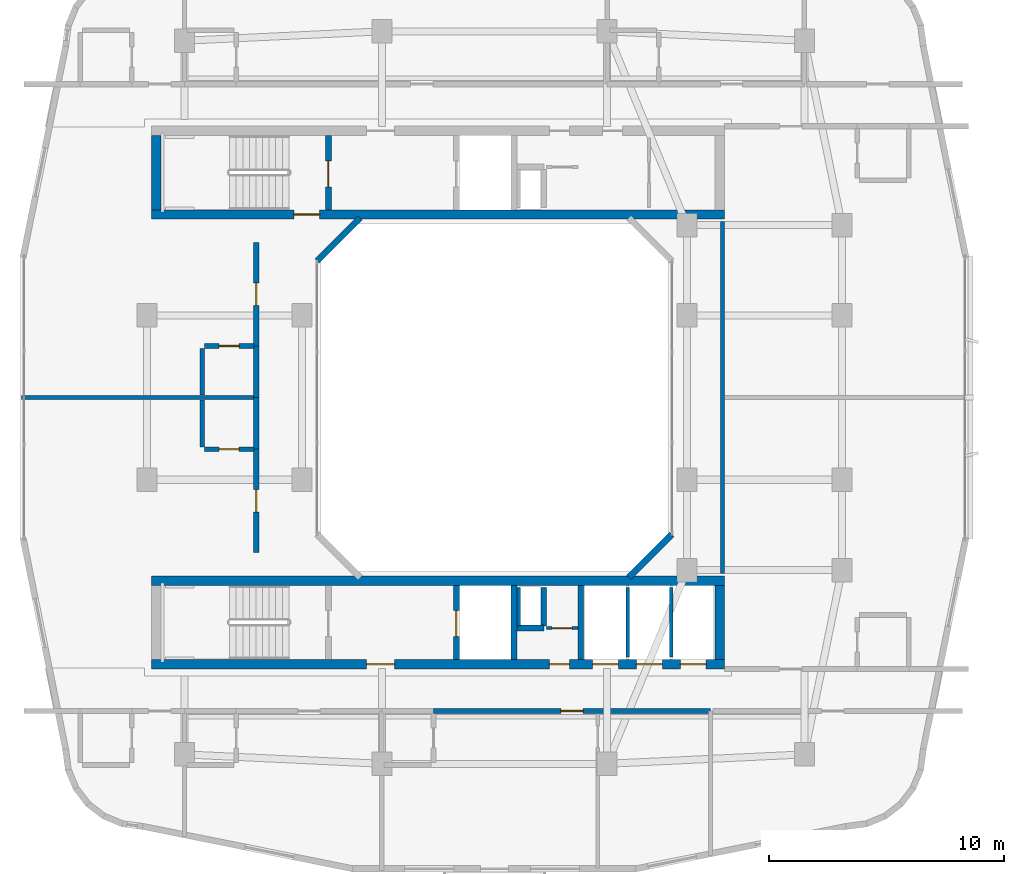
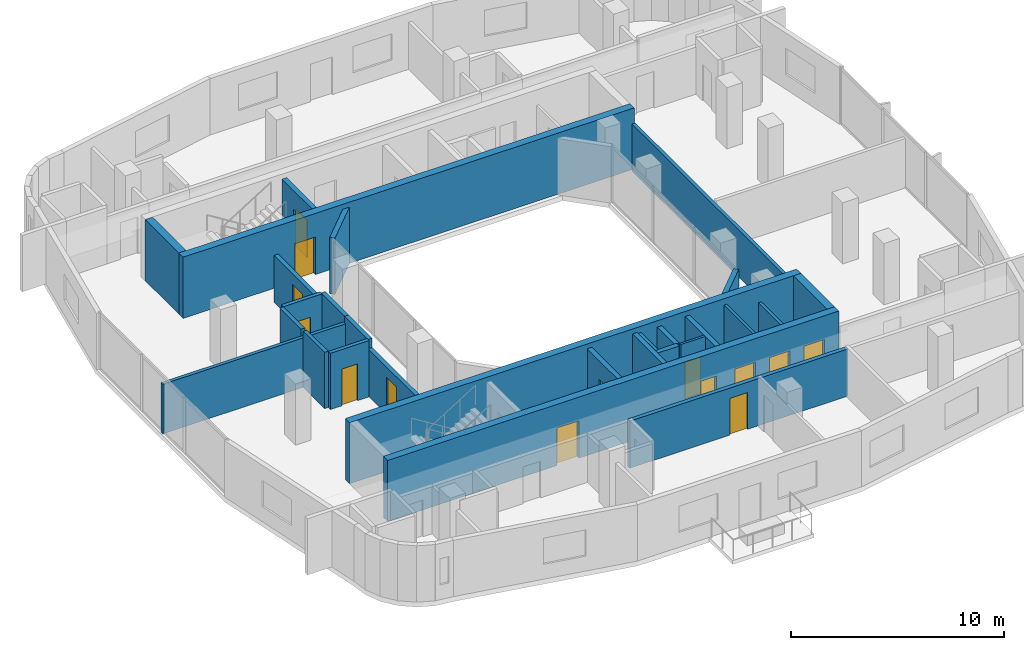
# One storey, part 6 of 13: 28 walls, 14 doors, 14 openings.
"""IFC4 building model written with IfcOpenShell, lengths in metres."""

from ifc_helpers import new_model, si_unit, derived_unit, direction, frame, frame_2d, origin, place, context, subcontext, project, spatial, rectangle, extrude, material, layer, layer_set, type_object, element, fill, save


model = new_model("IFC4")

# Units and contexts
model_context = context("Model", 3, precision=1e-05, world=origin(), true_north=direction((0.0, 1.0)))
body_context = subcontext(model_context, "Body", "Model", "MODEL_VIEW")
ifc_project = project(units=[si_unit("LENGTHUNIT", "METRE"), si_unit("AREAUNIT", "SQUARE_METRE"), si_unit("VOLUMEUNIT", "CUBIC_METRE"), si_unit("PLANEANGLEUNIT", "RADIAN"), si_unit("MASSUNIT", "GRAM", prefix="KILO"), derived_unit("THERMALTRANSMITTANCEUNIT", [(si_unit("POWERUNIT", "WATT"), 1), (si_unit("LENGTHUNIT", "METRE"), -2), (si_unit("THERMODYNAMICTEMPERATUREUNIT", "KELVIN"), -1)])], contexts=[model_context])

# Site, building, storey
site_placement = place(None, origin())
site = spatial("IfcSite", under=ifc_project, at=site_placement, CompositionType="ELEMENT")
building_placement = place(site_placement, origin())
building = spatial("IfcBuilding", under=site, at=building_placement, Name="Kivonza Crest Hotel", CompositionType="ELEMENT")
storey_placement = place(building_placement, frame((0.0, 0.0, 134.5)))
storey = spatial("IfcBuildingStorey", under=building, at=storey_placement, Name="L36", CompositionType="ELEMENT", Elevation=134.5)

# Walls
ifc_material_1 = material(Name="High-density acoustic masonry inter-tenancy wall", Category="masonry")
ifc_layer_1 = layer(ifc_material_1, 0.179931640625)
ifc_layer_set_1 = layer_set([ifc_layer_1], Name="High-density acoustic masonry inter-tenancy wall")
wall_type_1 = type_object("IfcWallType", Name="WL-ACOU-180", PredefinedType="SOLIDWALL", material=ifc_layer_set_1)
wall_1_placement = place(storey_placement, frame((0.860107421875, 25.0, 0.0), z_axis=(0.0, 0.0, 1.0), x_axis=(1.0, 0.0, 0.0)))
element("IfcWall", 1, at=wall_1_placement, inside=storey, type_object=wall_type_1, Name="L36 interior partition WA-L36-T1W-DIV1", PredefinedType="SOLIDWALL", context=body_context, shape_type="SweptSolid", body=[
    extrude(rectangle(XDim=9.989990234375, YDim=0.179931640625, at=frame_2d((4.9951171875, 0.0))), origin(), (0.0, 0.0, 1.0), 2.8349609375),
])
wall_2_placement = place(storey_placement, frame((30.7099609375, 17.5, 0.0), z_axis=(0.0, 0.0, 1.0), x_axis=(0.0, 1.0, 0.0)))
element("IfcWall", 2, at=wall_2_placement, inside=storey, type_object=wall_type_1, Name="L36 interior partition WA-L36-T1EC-W", PredefinedType="SOLIDWALL", context=body_context, shape_type="SweptSolid", body=[
    extrude(rectangle(XDim=15.0, YDim=0.179931640625, at=frame_2d((7.5, 0.0))), origin(), (0.0, 0.0, 1.0), 2.695068359375),
])

# Wall, opening, door
ifc_material_2 = material(Name="Autoclaved aerated concrete blockwork", Category="masonry")
ifc_layer_2 = layer(ifc_material_2, 0.219970703125)
ifc_layer_set_2 = layer_set([ifc_layer_2], Name="Autoclaved aerated concrete blockwork")
wall_type_2 = type_object("IfcWallType", Name="WL-ACOU-220", PredefinedType="SOLIDWALL", material=ifc_layer_set_2)
wall_3_placement = place(storey_placement, frame((18.39990234375, 11.64990234375, 0.0), z_axis=(0.0, 0.0, 1.0), x_axis=(1.0, 0.0, 0.0)))
wall_3 = element("IfcWall", 3, at=wall_3_placement, inside=storey, type_object=wall_type_2, Name="L36 interior partition WA-L36-S06-MCORR", PredefinedType="SOLIDWALL", context=body_context, shape_type="SweptSolid", body=[
    extrude(rectangle(XDim=11.800048828125, YDim=0.219970703125, at=frame_2d((5.89990234375, 0.0))), origin(), (0.0, 0.0, 1.0), 2.695068359375),
])
opening_1_placement = place(wall_3_placement, frame((5.425048828125, 0.0, 0.0)))
opening_1 = element("IfcOpeningElement", 4, at=opening_1_placement, cuts=wall_3, Name="Opening DU-60", PredefinedType="OPENING", context=body_context, shape_type="SweptSolid", body=[
    extrude(rectangle(XDim=0.949951171875, YDim=2.10009765625, at=frame_2d((0.47509765625, 1.050048828125))), frame((0.0, 0.1201171875, 0.0), z_axis=(0.0, -1.0, 0.0), x_axis=(1.0, 0.0, 0.0)), (0.0, 0.0, 1.0), 0.239990234375),
])
ifc_material_3 = material(Name="Hardwood timber oak", Category="wood")
door_type_1 = type_object("IfcDoorType", Name="DR-UNIT-950", OperationType="NOTDEFINED", PredefinedType="DOOR", material=ifc_material_3)
door_1_placement = place(opening_1_placement, frame((0.949951171875, 0.0, 0.0), z_axis=(0.0, 0.0, 1.0), x_axis=(-1.0, 0.0, 0.0)))
door_1 = element("IfcDoor", 5, at=door_1_placement, inside=storey, type_object=door_type_1, Name="L36 S06 guest unit entrance fire door", OperationType="SINGLE_SWING_RIGHT", OverallHeight=2.10009765625, OverallWidth=0.949951171875, PredefinedType="DOOR", context=body_context, shape_type="SweptSolid", body=[
    extrude(rectangle(XDim=0.949951171875, YDim=2.10009765625, at=frame_2d((0.47509765625, 1.050048828125))), frame((0.0, 0.02490234375, 0.0), z_axis=(0.0, -1.0, 0.0), x_axis=(1.0, 0.0, 0.0)), (0.0, 0.0, 1.0), 0.050048828125),
])
fill(opening_1, door_1)

# Wall
wall_4_placement = place(storey_placement, frame((10.85009765625, 22.800048828125, 0.0), z_axis=(0.0, 0.0, 1.0), x_axis=(0.0, 1.0, 0.0)))
element("IfcWall", 6, at=wall_4_placement, inside=storey, type_object=wall_type_2, Name="L36 interior partition WA-L36-W07-BCORR", PredefinedType="SOLIDWALL", context=body_context, shape_type="SweptSolid", body=[
    extrude(rectangle(XDim=2.199951171875, YDim=0.219970703125, at=frame_2d((1.10009765625, 0.0))), origin(), (0.0, 0.0, 1.0), 3.219970703125),
])

# Wall, opening, door
wall_5_placement = place(storey_placement, frame((10.85009765625, 18.39990234375, 0.0), z_axis=(0.0, 0.0, 1.0), x_axis=(0.0, 1.0, 0.0)))
wall_5 = element("IfcWall", 7, at=wall_5_placement, inside=storey, type_object=wall_type_2, Name="L36 interior partition WA-L36-W07-MCORR", PredefinedType="SOLIDWALL", context=body_context, shape_type="SweptSolid", body=[
    extrude(rectangle(XDim=4.400146484375, YDim=0.219970703125, at=frame_2d((2.2001953125, 0.0))), origin(), (0.0, 0.0, 1.0), 2.695068359375),
])
opening_2_placement = place(wall_5_placement, frame((1.72509765625, 0.0, 0.0)))
opening_2 = element("IfcOpeningElement", 8, at=opening_2_placement, cuts=wall_5, Name="Opening DU-60", PredefinedType="OPENING", context=body_context, shape_type="SweptSolid", body=[
    extrude(rectangle(XDim=0.949951171875, YDim=2.10009765625, at=frame_2d((0.47509765625, 1.050048828125))), frame((0.0, 0.1201171875, 0.0), z_axis=(0.0, -1.0, 0.0), x_axis=(1.0, 0.0, 0.0)), (0.0, 0.0, 1.0), 0.239990234375),
])
door_2_placement = place(opening_2_placement, origin())
door_2 = element("IfcDoor", 9, at=door_2_placement, inside=storey, type_object=door_type_1, Name="L36 W07 guest unit entrance fire door", OperationType="SINGLE_SWING_LEFT", OverallHeight=2.10009765625, OverallWidth=0.949951171875, PredefinedType="DOOR", context=body_context, shape_type="SweptSolid", body=[
    extrude(rectangle(XDim=0.949951171875, YDim=2.10009765625, at=frame_2d((0.47509765625, 1.050048828125))), frame((0.0, 0.02490234375, 0.0), z_axis=(0.0, -1.0, 0.0), x_axis=(1.0, 0.0, 0.0)), (0.0, 0.0, 1.0), 0.050048828125),
])
fill(opening_2, door_2)

# Wall
wall_6_placement = place(storey_placement, frame((10.85009765625, 25.0, 0.0), z_axis=(0.0, 0.0, 1.0), x_axis=(0.0, 1.0, 0.0)))
element("IfcWall", 10, at=wall_6_placement, inside=storey, type_object=wall_type_2, Name="L36 interior partition WA-L36-W08-BCORR", PredefinedType="SOLIDWALL", context=body_context, shape_type="SweptSolid", body=[
    extrude(rectangle(XDim=2.199951171875, YDim=0.219970703125, at=frame_2d((1.10009765625, 0.0))), origin(), (0.0, 0.0, 1.0), 3.219970703125),
])

# Wall, opening, door
wall_7_placement = place(storey_placement, frame((10.85009765625, 27.199951171875, 0.0), z_axis=(0.0, 0.0, 1.0), x_axis=(0.0, 1.0, 0.0)))
wall_7 = element("IfcWall", 11, at=wall_7_placement, inside=storey, type_object=wall_type_2, Name="L36 interior partition WA-L36-W08-MCORR", PredefinedType="SOLIDWALL", context=body_context, shape_type="SweptSolid", body=[
    extrude(rectangle(XDim=4.400146484375, YDim=0.219970703125, at=frame_2d((2.2001953125, 0.0))), origin(), (0.0, 0.0, 1.0), 2.695068359375),
])
opening_3_placement = place(wall_7_placement, frame((1.72509765625, 0.0, 0.0)))
opening_3 = element("IfcOpeningElement", 12, at=opening_3_placement, cuts=wall_7, Name="Opening DU-60", PredefinedType="OPENING", context=body_context, shape_type="SweptSolid", body=[
    extrude(rectangle(XDim=0.949951171875, YDim=2.10009765625, at=frame_2d((0.47509765625, 1.050048828125))), frame((0.0, 0.1201171875, 0.0), z_axis=(0.0, -1.0, 0.0), x_axis=(1.0, 0.0, 0.0)), (0.0, 0.0, 1.0), 0.239990234375),
])
door_3_placement = place(opening_3_placement, origin())
door_3 = element("IfcDoor", 13, at=door_3_placement, inside=storey, type_object=door_type_1, Name="L36 W08 guest unit entrance fire door", OperationType="SINGLE_SWING_RIGHT", OverallHeight=2.10009765625, OverallWidth=0.949951171875, PredefinedType="DOOR", context=body_context, shape_type="SweptSolid", body=[
    extrude(rectangle(XDim=0.949951171875, YDim=2.10009765625, at=frame_2d((0.47509765625, 1.050048828125))), frame((0.0, 0.02490234375, 0.0), z_axis=(0.0, -1.0, 0.0), x_axis=(1.0, 0.0, 0.0)), (0.0, 0.0, 1.0), 0.050048828125),
])
fill(opening_3, door_3)

ifc_material_4 = material(Name="Concrete C50/60", Category="concrete")
ifc_layer_3 = layer(ifc_material_4, 0.39990234375)
ifc_layer_set_3 = layer_set([ifc_layer_3], Name="Concrete C50/60")
wall_type_3 = type_object("IfcWallType", Name="WL-CORE-400", PredefinedType="SHEAR", material=ifc_layer_set_3)
wall_8_placement = place(storey_placement, frame((6.39990234375, 32.800048828125, 0.0), z_axis=(0.0, 0.0, 1.0), x_axis=(1.0, 0.0, 0.0)))
wall_8 = element("IfcWall", 14, at=wall_8_placement, inside=storey, type_object=wall_type_3, Name="Core wall T1-N South L36", PredefinedType="SHEAR", context=body_context, shape_type="SweptSolid", body=[
    extrude(rectangle(XDim=24.400146484375, YDim=0.39990234375, at=frame_2d((12.2001953125, 0.0))), origin(), (0.0, 0.0, 1.0), 3.5),
])
opening_4_placement = place(wall_8_placement, frame((6.050048828125, 0.0, 0.0)))
opening_4 = element("IfcOpeningElement", 15, at=opening_4_placement, cuts=wall_8, Name="Opening DF-120", PredefinedType="OPENING", context=body_context, shape_type="SweptSolid", body=[
    extrude(rectangle(XDim=1.10009765625, YDim=2.14990234375, at=frame_2d((0.550048828125, 1.074951171875))), frame((0.0, 0.2099609375, 0.0), z_axis=(0.0, -1.0, 0.0), x_axis=(1.0, 0.0, 0.0)), (0.0, 0.0, 1.0), 0.419921875),
])
ifc_material_5 = material(Name="Galvanised steel", Category="steel")
door_type_2 = type_object("IfcDoorType", Name="DR-FD120-1100", OperationType="NOTDEFINED", PredefinedType="DOOR", material=ifc_material_5)
door_4_placement = place(opening_4_placement, origin())
door_4 = element("IfcDoor", 16, at=door_4_placement, inside=storey, type_object=door_type_2, Name="L36 West corridor stair access fire door", OperationType="SINGLE_SWING_LEFT", OverallHeight=2.14990234375, OverallWidth=1.10009765625, PredefinedType="DOOR", context=body_context, shape_type="SweptSolid", body=[
    extrude(rectangle(XDim=1.10009765625, YDim=2.14990234375, at=frame_2d((0.550048828125, 1.074951171875))), frame((0.0, 0.02490234375, 0.0), z_axis=(0.0, -1.0, 0.0), x_axis=(1.0, 0.0, 0.0)), (0.0, 0.0, 1.0), 0.050048828125),
])
fill(opening_4, door_4)

# Wall
wall_9_placement = place(storey_placement, frame((6.60009765625, 33.0, 0.0), z_axis=(0.0, 0.0, 1.0), x_axis=(0.0, 1.0, 0.0)))
element("IfcWall", 17, at=wall_9_placement, inside=storey, type_object=wall_type_3, Name="Core wall T1-N West L36", PredefinedType="SHEAR", context=body_context, shape_type="SweptSolid", body=[
    extrude(rectangle(XDim=3.159912109375, YDim=0.39990234375, at=frame_2d((1.580078125, 0.0))), origin(), (0.0, 0.0, 1.0), 3.5),
])

# Wall, openings, doors
wall_10_placement = place(storey_placement, frame((6.39990234375, 13.639892578125, 0.0), z_axis=(0.0, 0.0, 1.0), x_axis=(1.0, 0.0, 0.0)))
wall_10 = element("IfcWall", 18, at=wall_10_placement, inside=storey, type_object=wall_type_3, Name="Core wall T1-S South L36", PredefinedType="SHEAR", context=body_context, shape_type="SweptSolid", body=[
    extrude(rectangle(XDim=24.400146484375, YDim=0.39990234375, at=frame_2d((12.2001953125, 0.0))), origin(), (0.0, 0.0, 1.0), 3.5),
])
opening_5_placement = place(wall_10_placement, frame((9.14990234375, 0.0, 0.0)))
opening_5 = element("IfcOpeningElement", 19, at=opening_5_placement, cuts=wall_10, Name="Opening DF-60", PredefinedType="OPENING", context=body_context, shape_type="SweptSolid", body=[
    extrude(rectangle(XDim=1.199951171875, YDim=2.14990234375, at=frame_2d((0.60009765625, 1.074951171875))), frame((0.0, 0.2099609375, 0.0), z_axis=(0.0, -1.0, 0.0), x_axis=(1.0, 0.0, 0.0)), (0.0, 0.0, 1.0), 0.419921875),
])
opening_6_placement = place(wall_10_placement, frame((16.93994140625, 0.0, 0.0)))
opening_6 = element("IfcOpeningElement", 20, at=opening_6_placement, cuts=wall_10, Name="Opening DF-60R", PredefinedType="OPENING", context=body_context, shape_type="SweptSolid", body=[
    extrude(rectangle(XDim=0.85009765625, YDim=2.10009765625, at=frame_2d((0.425048828125, 1.050048828125))), frame((0.0, 0.2099609375, 0.0), z_axis=(0.0, -1.0, 0.0), x_axis=(1.0, 0.0, 0.0)), (0.0, 0.0, 1.0), 0.419921875),
])
opening_7_placement = place(wall_10_placement, frame((18.782958984375, 0.0, 0.0)))
opening_7 = element("IfcOpeningElement", 21, at=opening_7_placement, cuts=wall_10, Name="Opening LD-120", PredefinedType="OPENING", context=body_context, shape_type="SweptSolid", body=[
    extrude(rectangle(XDim=1.10009765625, YDim=2.14990234375, at=frame_2d((0.550048828125, 1.074951171875))), frame((0.0, 0.2099609375, 0.0), z_axis=(0.0, -1.0, 0.0), x_axis=(1.0, 0.0, 0.0)), (0.0, 0.0, 1.0), 0.419921875),
])
opening_8_placement = place(wall_10_placement, frame((20.64990234375, 0.0, 0.0)))
opening_8 = element("IfcOpeningElement", 22, at=opening_8_placement, cuts=wall_10, Name="Opening LD-120", PredefinedType="OPENING", context=body_context, shape_type="SweptSolid", body=[
    extrude(rectangle(XDim=1.10009765625, YDim=2.14990234375, at=frame_2d((0.550048828125, 1.074951171875))), frame((0.0, 0.2099609375, 0.0), z_axis=(0.0, -1.0, 0.0), x_axis=(1.0, 0.0, 0.0)), (0.0, 0.0, 1.0), 0.419921875),
])
opening_9_placement = place(wall_10_placement, frame((22.51708984375, 0.0, 0.0)))
opening_9 = element("IfcOpeningElement", 23, at=opening_9_placement, cuts=wall_10, Name="Opening LD-120", PredefinedType="OPENING", context=body_context, shape_type="SweptSolid", body=[
    extrude(rectangle(XDim=1.10009765625, YDim=2.14990234375, at=frame_2d((0.550048828125, 1.074951171875))), frame((0.0, 0.2099609375, 0.0), z_axis=(0.0, -1.0, 0.0), x_axis=(1.0, 0.0, 0.0)), (0.0, 0.0, 1.0), 0.419921875),
])
door_type_3 = type_object("IfcDoorType", Name="DR-FD60-1200", OperationType="NOTDEFINED", PredefinedType="DOOR", material=ifc_material_3)
door_5_placement = place(opening_5_placement, frame((1.199951171875, 0.0, 0.0), z_axis=(0.0, 0.0, 1.0), x_axis=(-1.0, 0.0, 0.0)))
door_5 = element("IfcDoor", 24, at=door_5_placement, inside=storey, type_object=door_type_3, Name="L36 T1-S firefighting lobby fire door", OperationType="SINGLE_SWING_LEFT", OverallHeight=2.14990234375, OverallWidth=1.199951171875, PredefinedType="DOOR", context=body_context, shape_type="SweptSolid", body=[
    extrude(rectangle(XDim=1.199951171875, YDim=2.14990234375, at=frame_2d((0.60009765625, 1.074951171875))), frame((0.0, 0.02490234375, 0.0), z_axis=(0.0, -1.0, 0.0), x_axis=(1.0, 0.0, 0.0)), (0.0, 0.0, 1.0), 0.050048828125),
])
fill(opening_5, door_5)
door_type_4 = type_object("IfcDoorType", Name="DR-FD60-850", OperationType="NOTDEFINED", PredefinedType="DOOR", material=ifc_material_3)
door_6_placement = place(opening_6_placement, frame((0.85009765625, 0.0, 0.0), z_axis=(0.0, 0.0, 1.0), x_axis=(-1.0, 0.0, 0.0)))
door_6 = element("IfcDoor", 25, at=door_6_placement, inside=storey, type_object=door_type_4, Name="L36 T1-S core room door", OperationType="SINGLE_SWING_RIGHT", OverallHeight=2.10009765625, OverallWidth=0.85009765625, PredefinedType="DOOR", context=body_context, shape_type="SweptSolid", body=[
    extrude(rectangle(XDim=0.85009765625, YDim=2.10009765625, at=frame_2d((0.425048828125, 1.050048828125))), frame((0.0, 0.02490234375, 0.0), z_axis=(0.0, -1.0, 0.0), x_axis=(1.0, 0.0, 0.0)), (0.0, 0.0, 1.0), 0.050048828125),
])
fill(opening_6, door_6)
ifc_material_6 = material(Name="Stainless steel", Category="steel")
door_type_5 = type_object("IfcDoorType", Name="DR-LD120-1100", OperationType="NOTDEFINED", PredefinedType="DOOR", material=ifc_material_6)
door_7_placement = place(opening_7_placement, frame((1.10009765625, 0.0, 0.0), z_axis=(0.0, 0.0, 1.0), x_axis=(-1.0, 0.0, 0.0)))
door_7 = element("IfcDoor", 26, at=door_7_placement, inside=storey, type_object=door_type_5, Name="L36 PL-T1-H1 passenger lift sliding landing door", OperationType="DOUBLE_DOOR_SLIDING", OverallHeight=2.14990234375, OverallWidth=1.10009765625, PredefinedType="DOOR", context=body_context, shape_type="SweptSolid", body=[
    extrude(rectangle(XDim=1.10009765625, YDim=2.14990234375, at=frame_2d((0.550048828125, 1.074951171875))), frame((0.0, 0.02490234375, 0.0), z_axis=(0.0, -1.0, 0.0), x_axis=(1.0, 0.0, 0.0)), (0.0, 0.0, 1.0), 0.050048828125),
])
fill(opening_7, door_7)
door_8_placement = place(opening_8_placement, frame((1.10009765625, 0.0, 0.0), z_axis=(0.0, 0.0, 1.0), x_axis=(-1.0, 0.0, 0.0)))
door_8 = element("IfcDoor", 27, at=door_8_placement, inside=storey, type_object=door_type_5, Name="L36 PL-T1-H2 passenger lift sliding landing door", OperationType="DOUBLE_DOOR_SLIDING", OverallHeight=2.14990234375, OverallWidth=1.10009765625, PredefinedType="DOOR", context=body_context, shape_type="SweptSolid", body=[
    extrude(rectangle(XDim=1.10009765625, YDim=2.14990234375, at=frame_2d((0.550048828125, 1.074951171875))), frame((0.0, 0.02490234375, 0.0), z_axis=(0.0, -1.0, 0.0), x_axis=(1.0, 0.0, 0.0)), (0.0, 0.0, 1.0), 0.050048828125),
])
fill(opening_8, door_8)
door_9_placement = place(opening_9_placement, frame((1.10009765625, 0.0, 0.0), z_axis=(0.0, 0.0, 1.0), x_axis=(-1.0, 0.0, 0.0)))
door_9 = element("IfcDoor", 28, at=door_9_placement, inside=storey, type_object=door_type_5, Name="L36 PL-T1-H3 passenger lift sliding landing door", OperationType="DOUBLE_DOOR_SLIDING", OverallHeight=2.14990234375, OverallWidth=1.10009765625, PredefinedType="DOOR", context=body_context, shape_type="SweptSolid", body=[
    extrude(rectangle(XDim=1.10009765625, YDim=2.14990234375, at=frame_2d((0.550048828125, 1.074951171875))), frame((0.0, 0.02490234375, 0.0), z_axis=(0.0, -1.0, 0.0), x_axis=(1.0, 0.0, 0.0)), (0.0, 0.0, 1.0), 0.050048828125),
])
fill(opening_9, door_9)

# Walls
wall_11_placement = place(storey_placement, frame((6.39990234375, 17.199951171875, 0.0), z_axis=(0.0, 0.0, 1.0), x_axis=(1.0, 0.0, 0.0)))
element("IfcWall", 29, at=wall_11_placement, inside=storey, type_object=wall_type_3, Name="Core wall T1-S North L36", PredefinedType="SHEAR", context=body_context, shape_type="SweptSolid", body=[
    extrude(rectangle(XDim=24.400146484375, YDim=0.39990234375, at=frame_2d((12.2001953125, 0.0))), origin(), (0.0, 0.0, 1.0), 3.5),
])
wall_12_placement = place(storey_placement, frame((30.60009765625, 13.840087890625, 0.0), z_axis=(0.0, 0.0, 1.0), x_axis=(0.0, 1.0, 0.0)))
element("IfcWall", 30, at=wall_12_placement, inside=storey, type_object=wall_type_3, Name="Core wall T1-S East L36", PredefinedType="SHEAR", context=body_context, shape_type="SweptSolid", body=[
    extrude(rectangle(XDim=3.159912109375, YDim=0.39990234375, at=frame_2d((1.580078125, 0.0))), origin(), (0.0, 0.0, 1.0), 3.5),
])
ifc_material_7 = material(Name="Precast concrete C40/50", Category="concrete")
ifc_layer_4 = layer(ifc_material_7, 0.260009765625)
ifc_layer_set_4 = layer_set([ifc_layer_4], Name="Precast concrete C40/50")
wall_type_4 = type_object("IfcWallType", Name="WL-EXT-260", PredefinedType="STANDARD", material=ifc_layer_set_4)
for number, where, z_axis, x_axis, name in (
    (31, (26.721923828125, 17.337890625, 0.0), (0.0, 0.0, 1.0), (0.707059717605, 0.707153841636, 0.0), "L36 T1 light-well exterior wall 2"),
    (32, (15.278076171875, 32.662109375, 0.0), (0.0, 0.0, 1.0), (-0.707059717605, -0.707153841636, 0.0), "L36 T1 light-well exterior wall 6"),
):
    element("IfcWall", number, at=place(storey_placement, frame(where, z_axis=z_axis, x_axis=x_axis)), inside=storey, type_object=wall_type_4, Name=name, PredefinedType="STANDARD", context=body_context, shape_type="SweptSolid", body=[
        extrude(rectangle(XDim=2.59375, YDim=0.260009765625, at=frame_2d((1.296875, 0.0))), origin(), (0.0, 0.0, 1.0), 3.219970703125),
    ])
ifc_material_8 = material(Name="Concrete blockwork fire-compartment wall", Category="masonry")
ifc_layer_5 = layer(ifc_material_8, 0.25)
ifc_layer_set_5 = layer_set([ifc_layer_5], Name="Concrete blockwork fire-compartment wall")
wall_type_5 = type_object("IfcWallType", Name="WL-FIRE-250", PredefinedType="SOLIDWALL", material=ifc_layer_set_5)
wall_13_placement = place(storey_placement, frame((23.10009765625, 15.280029296875, 0.0), z_axis=(0.0, 0.0, 1.0), x_axis=(0.0, 1.0, 0.0)))
element("IfcWall", 33, at=wall_13_placement, inside=storey, type_object=wall_type_5, Name="L36 interior partition WA-L36-T1-S-MEPR-E", PredefinedType="SOLIDWALL", context=body_context, shape_type="SweptSolid", body=[
    extrude(rectangle(XDim=1.619873046875, YDim=0.25, at=frame_2d((0.81005859375, 0.0))), origin(), (0.0, 0.0, 1.0), 3.219970703125),
])
wall_14_placement = place(storey_placement, frame((21.949951171875, 15.179931640625, 0.0), z_axis=(0.0, 0.0, 1.0), x_axis=(1.0, 0.0, 0.0)))
element("IfcWall", 34, at=wall_14_placement, inside=storey, type_object=wall_type_5, Name="L36 interior partition WA-L36-T1-S-MEPR-H", PredefinedType="SOLIDWALL", context=body_context, shape_type="SweptSolid", body=[
    extrude(rectangle(XDim=1.150146484375, YDim=0.25, at=frame_2d((0.5751953125, 0.0))), origin(), (0.0, 0.0, 1.0), 3.219970703125),
])

# Wall, opening, door
ifc_material_9 = material(Name="Metal-stud gypsum board partition", Category="gypsum")
ifc_layer_6 = layer(ifc_material_9, 0.125)
ifc_layer_set_6 = layer_set([ifc_layer_6], Name="Metal-stud gypsum board partition")
wall_type_6 = type_object("IfcWallType", Name="WL-PART-125", PredefinedType="PARTITIONING", material=ifc_layer_set_6)
wall_15_placement = place(storey_placement, frame((23.219970703125, 15.179931640625, 0.0), z_axis=(0.0, 0.0, 1.0), x_axis=(1.0, 0.0, 0.0)))
wall_15 = element("IfcWall", 35, at=wall_15_placement, inside=storey, type_object=wall_type_6, Name="L36 interior partition WP-L36-T1-S-SV3H", PredefinedType="PARTITIONING", context=body_context, shape_type="SweptSolid", body=[
    extrude(rectangle(XDim=1.330078125, YDim=0.125, at=frame_2d((0.6650390625, 0.0))), origin(), (0.0, 0.0, 1.0), 3.219970703125),
])
opening_10_placement = place(wall_15_placement, frame((0.239990234375, 0.0, 0.0)))
opening_10 = element("IfcOpeningElement", 36, at=opening_10_placement, cuts=wall_15, Name="Opening DI-85", PredefinedType="OPENING", context=body_context, shape_type="SweptSolid", body=[
    extrude(rectangle(XDim=0.85009765625, YDim=2.10009765625, at=frame_2d((0.425048828125, 1.050048828125))), frame((0.0, 0.072509765625, 0.0), z_axis=(0.0, -1.0, 0.0), x_axis=(1.0, 0.0, 0.0)), (0.0, 0.0, 1.0), 0.14501953125),
])
door_type_6 = type_object("IfcDoorType", Name="DR-INT-850", OperationType="NOTDEFINED", PredefinedType="DOOR", material=ifc_material_3)
door_10_placement = place(opening_10_placement, origin())
door_10 = element("IfcDoor", 37, at=door_10_placement, inside=storey, type_object=door_type_6, Name="L36 T1-S inner manifold door", OperationType="SINGLE_SWING_LEFT", OverallHeight=2.10009765625, OverallWidth=0.85009765625, PredefinedType="DOOR", context=body_context, shape_type="SweptSolid", body=[
    extrude(rectangle(XDim=0.85009765625, YDim=2.10009765625, at=frame_2d((0.425048828125, 1.050048828125))), frame((0.0, 0.02490234375, 0.0), z_axis=(0.0, -1.0, 0.0), x_axis=(1.0, 0.0, 0.0)), (0.0, 0.0, 1.0), 0.050048828125),
])
fill(opening_10, door_10)

# Walls
ifc_material_10 = material(Name="Twin-stud acoustic gypsum board partition", Category="gypsum")
ifc_layer_7 = layer(ifc_material_10, 0.14990234375)
ifc_layer_set_7 = layer_set([ifc_layer_7], Name="Twin-stud acoustic gypsum board partition")
wall_type_7 = type_object("IfcWallType", Name="WL-PART-150", PredefinedType="PARTITIONING", material=ifc_layer_set_7)
wall_16_placement = place(storey_placement, frame((22.030029296875, 15.280029296875, 0.0), z_axis=(0.0, 0.0, 1.0), x_axis=(0.0, 1.0, 0.0)))
element("IfcWall", 38, at=wall_16_placement, inside=storey, type_object=wall_type_7, Name="L36 interior partition WA-L36-T1-S-MEPR-W", PredefinedType="PARTITIONING", context=body_context, shape_type="SweptSolid", body=[
    extrude(rectangle(XDim=1.619873046875, YDim=0.14990234375, at=frame_2d((0.81005859375, 0.0))), origin(), (0.0, 0.0, 1.0), 3.219970703125),
])
wall_17_placement = place(storey_placement, frame((26.6669921875, 13.93994140625, 0.0), z_axis=(0.0, 0.0, 1.0), x_axis=(0.0, 1.0, 0.0)))
element("IfcWall", 39, at=wall_17_placement, inside=storey, type_object=wall_type_7, Name="L36 interior partition WP-L36-T1-S-BSH-1", PredefinedType="PARTITIONING", context=body_context, shape_type="SweptSolid", body=[
    extrude(rectangle(XDim=2.9599609375, YDim=0.14990234375, at=frame_2d((1.47998046875, 0.0))), origin(), (0.0, 0.0, 1.0), 3.219970703125),
])
wall_18_placement = place(storey_placement, frame((28.532958984375, 13.93994140625, 0.0), z_axis=(0.0, 0.0, 1.0), x_axis=(0.0, 1.0, 0.0)))
element("IfcWall", 40, at=wall_18_placement, inside=storey, type_object=wall_type_7, Name="L36 interior partition WP-L36-T1-S-BSH-2", PredefinedType="PARTITIONING", context=body_context, shape_type="SweptSolid", body=[
    extrude(rectangle(XDim=2.9599609375, YDim=0.14990234375, at=frame_2d((1.47998046875, 0.0))), origin(), (0.0, 0.0, 1.0), 2.695068359375),
])

# Wall, opening, door
ifc_material_11 = material(Name="Moisture-resistant plumbing chase partition wall", Category="gypsum")
ifc_layer_8 = layer(ifc_material_11, 0.199951171875)
ifc_layer_set_8 = layer_set([ifc_layer_8], Name="Moisture-resistant plumbing chase partition wall")
wall_type_8 = type_object("IfcWallType", Name="WL-PLUMB-200", PredefinedType="PLUMBINGWALL", material=ifc_layer_set_8)
wall_19_placement = place(storey_placement, frame((8.64990234375, 22.800048828125, 0.0), z_axis=(0.0, 0.0, 1.0), x_axis=(1.0, 0.0, 0.0)))
wall_19 = element("IfcWall", 41, at=wall_19_placement, inside=storey, type_object=wall_type_8, Name="L36 interior partition WW-L36-W07-BH", PredefinedType="PLUMBINGWALL", context=body_context, shape_type="SweptSolid", body=[
    extrude(rectangle(XDim=2.10009765625, YDim=0.199951171875, at=frame_2d((1.050048828125, 0.0))), origin(), (0.0, 0.0, 1.0), 3.219970703125),
])
opening_11_placement = place(wall_19_placement, frame((0.625, 0.0, 0.0)))
opening_11 = element("IfcOpeningElement", 42, at=opening_11_placement, cuts=wall_19, Name="Opening DI-85", PredefinedType="OPENING", context=body_context, shape_type="SweptSolid", body=[
    extrude(rectangle(XDim=0.85009765625, YDim=2.10009765625, at=frame_2d((0.425048828125, 1.050048828125))), frame((0.0, 0.10986328125, 0.0), z_axis=(0.0, -1.0, 0.0), x_axis=(1.0, 0.0, 0.0)), (0.0, 0.0, 1.0), 0.219970703125),
])
door_11_placement = place(opening_11_placement, frame((0.85009765625, 0.0, 0.0), z_axis=(0.0, 0.0, 1.0), x_axis=(-1.0, 0.0, 0.0)))
door_11 = element("IfcDoor", 43, at=door_11_placement, inside=storey, type_object=door_type_6, Name="L36 W07 en-suite bathroom door", OperationType="SINGLE_SWING_RIGHT", OverallHeight=2.10009765625, OverallWidth=0.85009765625, PredefinedType="DOOR", context=body_context, shape_type="SweptSolid", body=[
    extrude(rectangle(XDim=0.85009765625, YDim=2.10009765625, at=frame_2d((0.425048828125, 1.050048828125))), frame((0.0, 0.02490234375, 0.0), z_axis=(0.0, -1.0, 0.0), x_axis=(1.0, 0.0, 0.0)), (0.0, 0.0, 1.0), 0.050048828125),
])
fill(opening_11, door_11)

# Wall
wall_20_placement = place(storey_placement, frame((8.550048828125, 22.89990234375, 0.0), z_axis=(0.0, 0.0, 1.0), x_axis=(0.0, 1.0, 0.0)))
element("IfcWall", 44, at=wall_20_placement, inside=storey, type_object=wall_type_8, Name="L36 interior partition WW-L36-W07-BV", PredefinedType="PLUMBINGWALL", context=body_context, shape_type="SweptSolid", body=[
    extrude(rectangle(XDim=2.0, YDim=0.199951171875, at=frame_2d((1.0, 0.0))), origin(), (0.0, 0.0, 1.0), 3.219970703125),
])

# Wall, opening, door
wall_21_placement = place(storey_placement, frame((8.64990234375, 27.199951171875, 0.0), z_axis=(0.0, 0.0, 1.0), x_axis=(1.0, 0.0, 0.0)))
wall_21 = element("IfcWall", 45, at=wall_21_placement, inside=storey, type_object=wall_type_8, Name="L36 interior partition WW-L36-W08-BH", PredefinedType="PLUMBINGWALL", context=body_context, shape_type="SweptSolid", body=[
    extrude(rectangle(XDim=2.10009765625, YDim=0.199951171875, at=frame_2d((1.050048828125, 0.0))), origin(), (0.0, 0.0, 1.0), 3.219970703125),
])
opening_12_placement = place(wall_21_placement, frame((0.625, 0.0, 0.0)))
opening_12 = element("IfcOpeningElement", 46, at=opening_12_placement, cuts=wall_21, Name="Opening DI-85", PredefinedType="OPENING", context=body_context, shape_type="SweptSolid", body=[
    extrude(rectangle(XDim=0.85009765625, YDim=2.10009765625, at=frame_2d((0.425048828125, 1.050048828125))), frame((0.0, 0.10986328125, 0.0), z_axis=(0.0, -1.0, 0.0), x_axis=(1.0, 0.0, 0.0)), (0.0, 0.0, 1.0), 0.219970703125),
])
door_12_placement = place(opening_12_placement, origin())
door_12 = element("IfcDoor", 47, at=door_12_placement, inside=storey, type_object=door_type_6, Name="L36 W08 en-suite bathroom door", OperationType="SINGLE_SWING_LEFT", OverallHeight=2.10009765625, OverallWidth=0.85009765625, PredefinedType="DOOR", context=body_context, shape_type="SweptSolid", body=[
    extrude(rectangle(XDim=0.85009765625, YDim=2.10009765625, at=frame_2d((0.425048828125, 1.050048828125))), frame((0.0, 0.02490234375, 0.0), z_axis=(0.0, -1.0, 0.0), x_axis=(1.0, 0.0, 0.0)), (0.0, 0.0, 1.0), 0.050048828125),
])
fill(opening_12, door_12)

# Wall
wall_22_placement = place(storey_placement, frame((8.550048828125, 25.10009765625, 0.0), z_axis=(0.0, 0.0, 1.0), x_axis=(0.0, 1.0, 0.0)))
element("IfcWall", 48, at=wall_22_placement, inside=storey, type_object=wall_type_8, Name="L36 interior partition WW-L36-W08-BV", PredefinedType="PLUMBINGWALL", context=body_context, shape_type="SweptSolid", body=[
    extrude(rectangle(XDim=2.0, YDim=0.199951171875, at=frame_2d((1.0, 0.0))), origin(), (0.0, 0.0, 1.0), 3.219970703125),
])

# Wall, opening, door
ifc_layer_9 = layer(ifc_material_4, 0.25)
ifc_layer_set_9 = layer_set([ifc_layer_9], Name="Concrete C50/60")
wall_type_9 = type_object("IfcWallType", Name="WL-SHAFT-250", PredefinedType="STANDARD", material=ifc_layer_set_9)
wall_23_placement = place(storey_placement, frame((13.925048828125, 33.0, 0.0), z_axis=(0.0, 0.0, 1.0), x_axis=(0.0, 1.0, 0.0)))
wall_23 = element("IfcWall", 49, at=wall_23_placement, inside=storey, type_object=wall_type_9, Name="Core shaft wall T1-N STAIR L36", PredefinedType="STANDARD", context=body_context, shape_type="SweptSolid", body=[
    extrude(rectangle(XDim=3.159912109375, YDim=0.25, at=frame_2d((1.580078125, 0.0))), origin(), (0.0, 0.0, 1.0), 3.219970703125),
])
opening_13_placement = place(wall_23_placement, frame((0.97998046875, 0.0, 0.0)))
opening_13 = element("IfcOpeningElement", 50, at=opening_13_placement, cuts=wall_23, Name="Opening DF-120", PredefinedType="OPENING", context=body_context, shape_type="SweptSolid", body=[
    extrude(rectangle(XDim=1.10009765625, YDim=2.14990234375, at=frame_2d((0.550048828125, 1.074951171875))), frame((0.0, 0.135009765625, 0.0), z_axis=(0.0, -1.0, 0.0), x_axis=(1.0, 0.0, 0.0)), (0.0, 0.0, 1.0), 0.27001953125),
])
door_13_placement = place(opening_13_placement, frame((1.10009765625, 0.0, 0.0), z_axis=(0.0, 0.0, 1.0), x_axis=(-1.0, 0.0, 0.0)))
door_13 = element("IfcDoor", 51, at=door_13_placement, inside=storey, type_object=door_type_2, Name="L36 T1-N stair fire door", OperationType="SINGLE_SWING_LEFT", OverallHeight=2.14990234375, OverallWidth=1.10009765625, PredefinedType="DOOR", context=body_context, shape_type="SweptSolid", body=[
    extrude(rectangle(XDim=1.10009765625, YDim=2.14990234375, at=frame_2d((0.550048828125, 1.074951171875))), frame((0.0, 0.02490234375, 0.0), z_axis=(0.0, -1.0, 0.0), x_axis=(1.0, 0.0, 0.0)), (0.0, 0.0, 1.0), 0.050048828125),
])
fill(opening_13, door_13)

wall_24_placement = place(storey_placement, frame((19.375, 13.840087890625, 0.0), z_axis=(0.0, 0.0, 1.0), x_axis=(0.0, 1.0, 0.0)))
wall_24 = element("IfcWall", 52, at=wall_24_placement, inside=storey, type_object=wall_type_9, Name="Core shaft wall T1-S FFL-W L36", PredefinedType="STANDARD", context=body_context, shape_type="SweptSolid", body=[
    extrude(rectangle(XDim=3.159912109375, YDim=0.25, at=frame_2d((1.580078125, 0.0))), origin(), (0.0, 0.0, 1.0), 3.219970703125),
])
opening_14_placement = place(wall_24_placement, frame((0.97998046875, 0.0, 0.0)))
opening_14 = element("IfcOpeningElement", 53, at=opening_14_placement, cuts=wall_24, Name="Opening LD-120", PredefinedType="OPENING", context=body_context, shape_type="SweptSolid", body=[
    extrude(rectangle(XDim=1.10009765625, YDim=2.14990234375, at=frame_2d((0.550048828125, 1.074951171875))), frame((0.0, 0.135009765625, 0.0), z_axis=(0.0, -1.0, 0.0), x_axis=(1.0, 0.0, 0.0)), (0.0, 0.0, 1.0), 0.27001953125),
])
door_14_placement = place(opening_14_placement, origin())
door_14 = element("IfcDoor", 54, at=door_14_placement, inside=storey, type_object=door_type_5, Name="L36 FFL-T1-S firefighting lift sliding landing door", OperationType="DOUBLE_DOOR_SLIDING", OverallHeight=2.14990234375, OverallWidth=1.10009765625, PredefinedType="DOOR", context=body_context, shape_type="SweptSolid", body=[
    extrude(rectangle(XDim=1.10009765625, YDim=2.14990234375, at=frame_2d((0.550048828125, 1.074951171875))), frame((0.0, 0.02490234375, 0.0), z_axis=(0.0, -1.0, 0.0), x_axis=(1.0, 0.0, 0.0)), (0.0, 0.0, 1.0), 0.050048828125),
])
fill(opening_14, door_14)

# Walls
for number, where, z_axis, x_axis, name in (
    (55, (21.824951171875, 13.840087890625, 0.0), (0.0, 0.0, 1.0), (0.0, 1.0, 0.0), "Core shaft wall T1-S FFL-E L36"),
    (56, (24.675048828125, 13.840087890625, 0.0), (0.0, 0.0, 1.0), (0.0, 1.0, 0.0), "Core shaft wall T1-S BANK-W L36"),
):
    element("IfcWall", number, at=place(storey_placement, frame(where, z_axis=z_axis, x_axis=x_axis)), inside=storey, type_object=wall_type_9, Name=name, PredefinedType="STANDARD", context=body_context, shape_type="SweptSolid", body=[
        extrude(rectangle(XDim=3.159912109375, YDim=0.25, at=frame_2d((1.580078125, 0.0))), origin(), (0.0, 0.0, 1.0), 3.219970703125),
    ])

save(model, "model.ifc")
